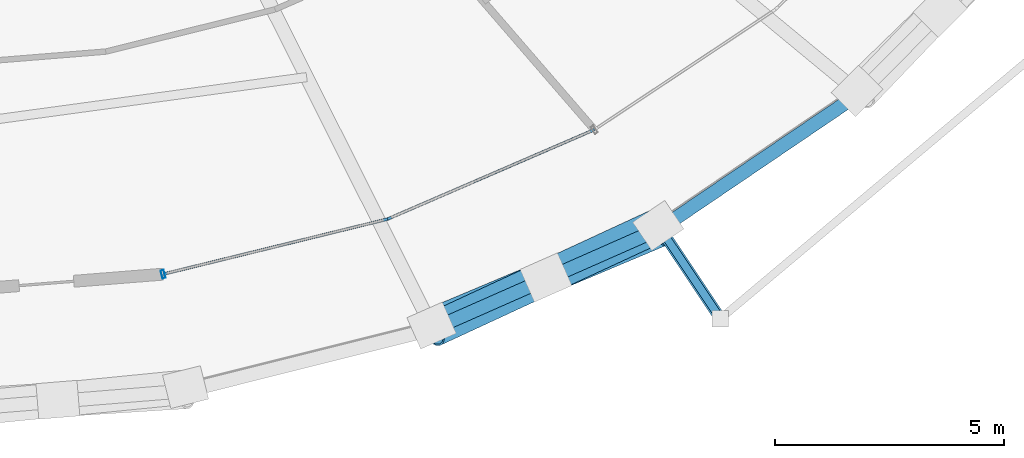
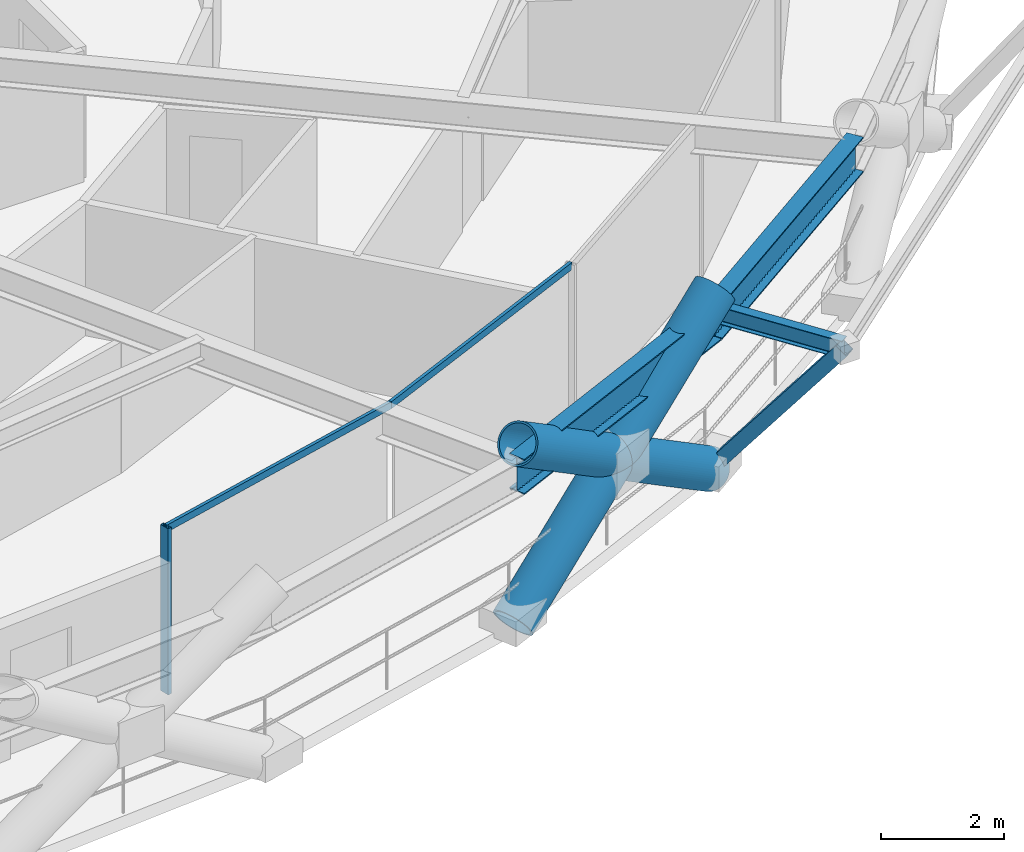
# One storey, part 6 of 21: 7 members, 3 beams, 1 element without a shape of its own.
"""IFC4 building model written with IfcOpenShell, lengths in metres."""

from ifc_helpers import new_model, si_unit, direction, frame, origin, origin_2d, place, context, subcontext, project, spatial, hollow_rectangle, hollow_circle, i_section, extrude, material, layer, layer_set, material_profile, profile_set, type_object, element, aggregate, save


model = new_model("IFC4")

# Units and contexts
model_context = context("Model", 3, precision=1e-05, world=origin(), true_north=direction((0.0, 1.0)))
body_context = subcontext(model_context, "Body", "Model", "MODEL_VIEW")
ifc_project = project(units=[si_unit("LENGTHUNIT", "METRE"), si_unit("AREAUNIT", "SQUARE_METRE"), si_unit("VOLUMEUNIT", "CUBIC_METRE"), si_unit("PLANEANGLEUNIT", "RADIAN"), si_unit("MASSUNIT", "GRAM", prefix="KILO")], contexts=[model_context])

# Site, building, storey
site_placement = place(None, origin())
site = spatial("IfcSite", under=ifc_project, at=site_placement, CompositionType="ELEMENT")
building_placement = place(site_placement, origin())
building = spatial("IfcBuilding", under=site, at=building_placement, Name="Veldorina Hangang Commons", CompositionType="ELEMENT")
storey_placement = place(building_placement, frame((0.0, 0.0, 59.199951171875)))
storey = spatial("IfcBuildingStorey", under=building, at=storey_placement, Name="L14", CompositionType="ELEMENT", Elevation=59.199951171875)

# Beams
ifc_material_1 = material(Name="Steel SM355-TMC", Category="steel")
ifc_material_profile_1 = material_profile(ifc_material_1, i_section(OverallWidth=0.175048828125, OverallDepth=0.35009765625, WebThickness=0.007080078125, FlangeThickness=0.010986328125, FilletRadius=0.012939453125, at=origin_2d()), Name="H-350x175x7x11")
ifc_profile_set_1 = profile_set([ifc_material_profile_1], Name="Steel SM355-TMC")
beam_type_1 = type_object("IfcBeamType", Name="BM-FG350", PredefinedType="BEAM", material=ifc_profile_set_1)
beam_1_placement = place(storey_placement, frame((47.98388671875, 4.23583984375, 3.1650390625), z_axis=(0.555539084943, -0.831490423938, 0.0), x_axis=(0.831490423938, 0.555539084943, 0.0)))
element("IfcBeam", 1, at=beam_1_placement, inside=storey, type_object=beam_type_1, Name="L15 tree balcony 2 bracket beam A", PredefinedType="BEAM", context=body_context, shape_type="SweptSolid", body=[
    extrude(i_section(OverallWidth=0.175048828125, OverallDepth=0.35009765625, WebThickness=0.007080078125, FlangeThickness=0.010986328125, FilletRadius=0.012939453125, at=origin_2d()), origin(), (0.0, 0.0, 1.0), 2.349853515625),
])
ifc_material_2 = material(Name="Steel SM460-TMC", Category="steel")
ifc_material_profile_2 = material_profile(ifc_material_2, i_section(OverallWidth=0.300048828125, OverallDepth=0.699951171875, WebThickness=0.012939453125, FlangeThickness=0.02392578125, FilletRadius=0.02197265625, at=origin_2d()), Name="H-700x300x13x24")
ifc_profile_set_2 = profile_set([ifc_material_profile_2], Name="Steel SM460-TMC")
beam_type_2 = type_object("IfcBeamType", Name="BM-RB700", PredefinedType="BEAM", material=ifc_profile_set_2)
beam_2_placement = place(storey_placement, frame((43.00341796875, 2.054443359375, 2.989990234375), z_axis=(0.914788929434, 0.403932190578, 0.0), x_axis=(-0.403932190578, 0.914788929434, 0.0)))
element("IfcBeam", 2, at=beam_2_placement, inside=storey, type_object=beam_type_2, Name="L14 perimeter hoop ring beam 26", PredefinedType="BEAM", context=body_context, shape_type="SweptSolid", body=[
    extrude(i_section(OverallWidth=0.300048828125, OverallDepth=0.699951171875, WebThickness=0.012939453125, FlangeThickness=0.02392578125, FilletRadius=0.02197265625, at=origin_2d()), origin(), (0.0, 0.0, 1.0), 5.434326171875),
])
beam_3_placement = place(storey_placement, frame((47.974609375, 4.24951171875, 2.989990234375), z_axis=(0.827701196012, 0.561169074452, 0.0), x_axis=(-0.561169074452, 0.827701196012, 0.0)))
element("IfcBeam", 3, at=beam_3_placement, inside=storey, type_object=beam_type_2, Name="L14 perimeter hoop ring beam 27", PredefinedType="BEAM", context=body_context, shape_type="SweptSolid", body=[
    extrude(i_section(OverallWidth=0.300048828125, OverallDepth=0.699951171875, WebThickness=0.012939453125, FlangeThickness=0.02392578125, FilletRadius=0.02197265625, at=origin_2d()), origin(), (0.0, 0.0, 1.0), 5.26416015625),
])

# Curtain wall, members
ifc_material_3 = material(Name="Glass Low-E Triple IGU", Category="glass")
ifc_layer = layer(ifc_material_3, 0.179931640625)
ifc_layer_set = layer_set([ifc_layer], Name="Glass Low-E Triple IGU")
curtain_wall_type = type_object("IfcCurtainWallType", Name="CW-SYS-Z1", PredefinedType="NOTDEFINED", material=ifc_layer_set)
curtain_wall_placement = place(storey_placement, origin())
curtain_wall = element("IfcCurtainWall", 4, at=curtain_wall_placement, inside=storey, type_object=curtain_wall_type, Name="L14 unitised curtain wall CW-L14-R2", PredefinedType="NOTDEFINED")
ifc_material_4 = material(Name="Aluminium Anodized AA6063-T6", Category="aluminium")
ifc_material_profile_3 = material_profile(ifc_material_4, hollow_rectangle(XDim=0.070068359375, YDim=0.179931640625, WallThickness=0.00390625, at=origin_2d()), Name="ALU-RHS-180x70x4")
ifc_profile_set_3 = profile_set([ifc_material_profile_3], Name="Aluminium Anodized AA6063-T6")
member_type_1 = type_object("IfcMemberType", Name="CW-MUL-180", PredefinedType="MULLION", material=ifc_profile_set_3)
member_1_placement = place(storey_placement, frame((37.10205078125, 3.253662109375, 0.0), z_axis=(0.0, 0.0, 1.0), x_axis=(0.971192535637, 0.238296157591, 0.0)))
member_1 = element("IfcMember", 5, at=member_1_placement, type_object=member_type_1, Name="CW-L14-R2 vertical mullion 1", PredefinedType="MULLION", context=body_context, shape_type="SweptSolid", body=[
    extrude(hollow_rectangle(XDim=0.070068359375, YDim=0.179931640625, WallThickness=0.00390625, at=origin_2d()), origin(), (0.0, 0.0, 1.0), 3.300048828125),
])
ifc_material_profile_4 = material_profile(ifc_material_4, hollow_rectangle(XDim=0.06005859375, YDim=0.139892578125, WallThickness=0.00341796875, at=origin_2d()), Name="ALU-RHS-140x60x3.5")
ifc_profile_set_4 = profile_set([ifc_material_profile_4], Name="Aluminium Anodized AA6063-T6")
member_type_2 = type_object("IfcMemberType", Name="CW-TRN-140", PredefinedType="USERDEFINED", material=ifc_profile_set_4)
member_2_placement = place(storey_placement, frame((37.10205078125, 3.253662109375, 3.260009765625), z_axis=(0.971190798839, 0.238303235921, 0.0), x_axis=(-0.238303235921, 0.971190798839, 0.0)))
member_2 = element("IfcMember", 6, at=member_2_placement, type_object=member_type_2, Name="CW-L14-R2 facet 1 transom 1", ObjectType="TRANSOM", PredefinedType="USERDEFINED", context=body_context, shape_type="SweptSolid", body=[
    extrude(hollow_rectangle(XDim=0.06005859375, YDim=0.139892578125, WallThickness=0.00341796875, at=origin_2d()), origin(), (0.0, 0.0, 1.0), 5.0517578125),
])
member_3_placement = place(storey_placement, frame((42.00830078125, 4.45751953125, 3.260009765625), z_axis=(0.91790485368, 0.396800553918, 0.0), x_axis=(-0.396800553918, 0.91790485368, 0.0)))
member_3 = element("IfcMember", 7, at=member_3_placement, type_object=member_type_2, Name="CW-L14-R2 facet 2 transom 1", ObjectType="TRANSOM", PredefinedType="USERDEFINED", context=body_context, shape_type="SweptSolid", body=[
    extrude(hollow_rectangle(XDim=0.06005859375, YDim=0.139892578125, WallThickness=0.00341796875, at=origin_2d()), origin(), (0.0, 0.0, 1.0), 4.92578125),
])
aggregate(curtain_wall, [member_1, member_2, member_3])

# Members
ifc_material_profile_5 = material_profile(ifc_material_2, hollow_circle(Radius=0.375, WallThickness=0.035888671875, at=origin_2d()), Name="CHS-750x36")
ifc_profile_set_5 = profile_set([ifc_material_profile_5], Name="Steel SM460-TMC")
member_type_3 = type_object("IfcMemberType", Name="DG-CHS750", PredefinedType="BRACE", material=ifc_profile_set_5)
member_4_placement = place(storey_placement, frame((42.97265625, 2.12939453125, 0.0), z_axis=(0.768595024158, 0.323075020386, 0.552163218661), x_axis=(-0.387502765764, 0.921868540805, 0.0)))
element("IfcMember", 8, at=member_4_placement, inside=storey, type_object=member_type_3, Name="L14 continuous perimeter diagrid brace 26", PredefinedType="BRACE", context=body_context, shape_type="SweptSolid", body=[
    extrude(hollow_circle(Radius=0.375, WallThickness=0.035888671875, at=origin_2d()), origin(), (0.0, 0.0, 1.0), 6.52001953125),
])
member_5_placement = place(storey_placement, frame((47.9296875, 4.31689453125, 0.0), z_axis=(-0.756053408945, -0.349803416366, 0.553191479256), x_axis=(0.419904785079, -0.907568163538, 0.0)))
element("IfcMember", 9, at=member_5_placement, inside=storey, type_object=member_type_3, Name="L14 split perimeter diagrid lower brace 27", PredefinedType="BRACE", context=body_context, shape_type="SweptSolid", body=[
    extrude(hollow_circle(Radius=0.375, WallThickness=0.035888671875, at=origin_2d()), origin(), (0.0, 0.0, 1.0), 3.248291015625),
])
member_6_placement = place(storey_placement, frame((45.473876953125, 3.1806640625, 1.796875), z_axis=(-0.75591382059, -0.350133469856, 0.553173434943), x_axis=(0.420294936772, -0.907387550126, 0.0)))
element("IfcMember", 10, at=member_6_placement, inside=storey, type_object=member_type_3, Name="L14 split perimeter diagrid upper brace 27", PredefinedType="BRACE", context=body_context, shape_type="SweptSolid", body=[
    extrude(hollow_circle(Radius=0.375, WallThickness=0.035888671875, at=origin_2d()), origin(), (0.0, 0.0, 1.0), 3.259765625),
])
ifc_material_profile_6 = material_profile(ifc_material_1, hollow_rectangle(XDim=0.25, YDim=0.25, WallThickness=0.011962890625, at=origin_2d()), Name="SHS-250x250x12")
ifc_profile_set_6 = profile_set([ifc_material_profile_6], Name="Steel SM355-TMC")
member_type_4 = type_object("IfcMemberType", Name="STR-SHS250", PredefinedType="STRUT", material=ifc_profile_set_6)
member_7_placement = place(storey_placement, frame((47.9296875, 4.31689453125, 0.0), z_axis=(0.33983147689, -0.508618308472, 0.791089112301), x_axis=(0.831482005751, 0.555551684466, 0.0)))
element("IfcMember", 11, at=member_7_placement, inside=storey, type_object=member_type_4, Name="L15 tree balcony 2 raking knee strut A", PredefinedType="STRUT", context=body_context, shape_type="SweptSolid", body=[
    extrude(hollow_rectangle(XDim=0.25, YDim=0.25, WallThickness=0.011962890625, at=origin_2d()), origin(), (0.0, 0.0, 1.0), 4.0009765625),
])

save(model, "model.ifc")
